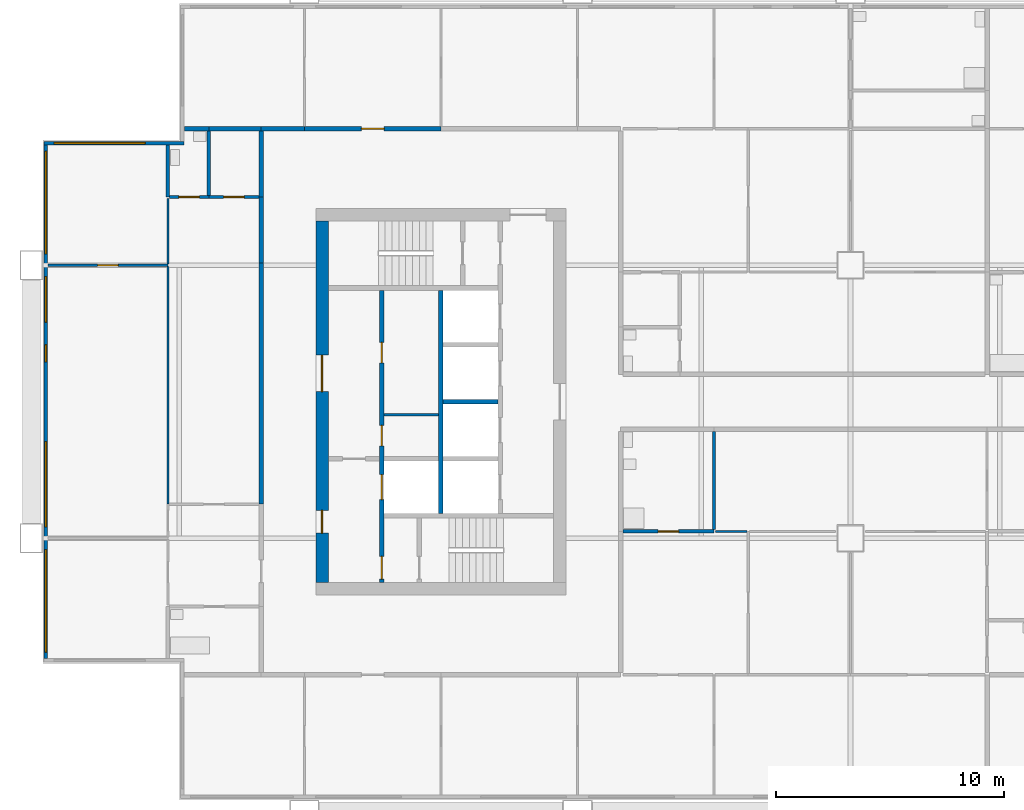
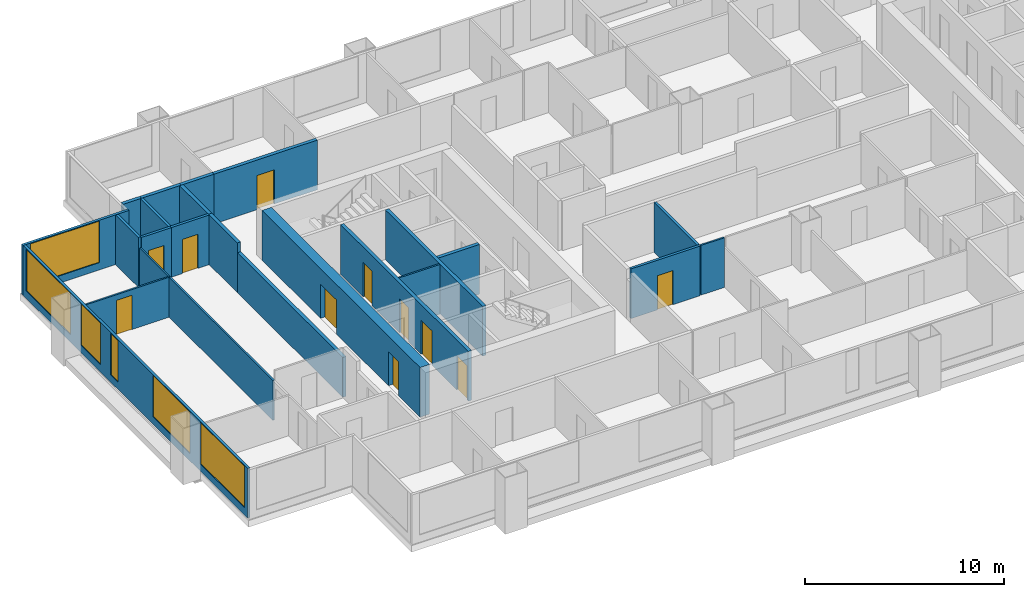
# One storey, part 3 of 9: 24 walls, 11 doors, 6 windows, 17 openings.
"""IFC4 building model written with IfcOpenShell, lengths in metres."""

from ifc_helpers import new_model, si_unit, direction, frame, frame_2d, origin, place, context, subcontext, project, spatial, rectangle, extrude, material, layer, layer_set, type_object, element, fill, save


model = new_model("IFC4")

# Units and contexts
model_context = context("Model", 3, precision=1e-05, world=origin(), true_north=direction((0.0, 1.0)))
body_context = subcontext(model_context, "Body", "Model", "MODEL_VIEW")
ifc_project = project(units=[si_unit("LENGTHUNIT", "METRE"), si_unit("AREAUNIT", "SQUARE_METRE"), si_unit("VOLUMEUNIT", "CUBIC_METRE"), si_unit("PLANEANGLEUNIT", "RADIAN"), si_unit("MASSUNIT", "GRAM", prefix="KILO")], contexts=[model_context])

# Site, building, storey
site_placement = place(None, origin())
site = spatial("IfcSite", under=ifc_project, at=site_placement, CompositionType="ELEMENT")
building_placement = place(site_placement, origin())
building = spatial("IfcBuilding", under=site, at=building_placement, Name="Kitamizu Gate Tower and Museum", CompositionType="ELEMENT")
storey_placement = place(building_placement, frame((0.0, 0.0, 182.39990234375)))
storey = spatial("IfcBuildingStorey", under=building, at=storey_placement, Name="L48", CompositionType="ELEMENT", Elevation=182.39990234375)

# Wall, openings, doors
ifc_material_1 = material(Name="Concrete Fc42", Category="concrete")
ifc_layer_1 = layer(ifc_material_1, 0.550048828125)
ifc_layer_set_1 = layer_set([ifc_layer_1], Name="Concrete Fc42")
wall_type_1 = type_object("IfcWallType", Name="Core wall 550", PredefinedType="SHEAR", material=ifc_layer_set_1)
wall_1_placement = place(storey_placement, frame((12.77490234375, 22.050048828125, 0.0), z_axis=(0.0, 0.0, 1.0), x_axis=(0.0, 1.0, 0.0)))
wall_1 = element("IfcWall", 1, at=wall_1_placement, inside=storey, type_object=wall_type_1, Name="Core wall WOUT", PredefinedType="SHEAR", context=body_context, shape_type="SweptSolid", body=[
    extrude(rectangle(XDim=15.89990234375, YDim=0.550048828125, at=frame_2d((7.949951171875, 0.0))), origin(), (0.0, 0.0, 1.0), 3.050048828125),
])
opening_1_placement = place(wall_1_placement, frame((8.39990234375, 0.0, 0.0)))
opening_1 = element("IfcOpeningElement", 2, at=opening_1_placement, cuts=wall_1, Name="Opening L48-046", PredefinedType="OPENING", context=body_context, shape_type="SweptSolid", body=[
    extrude(rectangle(XDim=1.60009765625, YDim=2.10009765625, at=frame_2d((0.800048828125, 1.050048828125))), frame((0.0, 0.28515625, 0.0), z_axis=(0.0, -1.0, 0.0), x_axis=(1.0, 0.0, 0.0)), (0.0, 0.0, 1.0), 0.570068359375),
])
opening_2_placement = place(wall_1_placement, frame((2.175048828125, 0.0, 0.0)))
opening_2 = element("IfcOpeningElement", 3, at=opening_2_placement, cuts=wall_1, Name="Opening L48-047", PredefinedType="OPENING", context=body_context, shape_type="SweptSolid", body=[
    extrude(rectangle(XDim=1.0, YDim=2.10009765625, at=frame_2d((0.5, 1.050048828125))), frame((0.0, 0.28515625, 0.0), z_axis=(0.0, -1.0, 0.0), x_axis=(1.0, 0.0, 0.0)), (0.0, 0.0, 1.0), 0.570068359375),
])
ifc_material_2 = material(Name="Timber door set", Category="wood")
door_type_1 = type_object("IfcDoorType", Name="Entrance door 1600", OperationType="DOUBLE_DOOR_SINGLE_SWING", PredefinedType="DOOR", material=ifc_material_2)
door_1_placement = place(opening_1_placement, origin())
door_1 = element("IfcDoor", 4, at=door_1_placement, inside=storey, type_object=door_type_1, Name="Lobby door L48-046", OperationType="DOUBLE_DOOR_SINGLE_SWING", OverallHeight=2.10009765625, OverallWidth=1.60009765625, PredefinedType="DOOR", context=body_context, shape_type="SweptSolid", body=[
    extrude(rectangle(XDim=1.60009765625, YDim=2.10009765625, at=frame_2d((0.800048828125, 1.050048828125))), frame((0.0, 0.02490234375, 0.0), z_axis=(0.0, -1.0, 0.0), x_axis=(1.0, 0.0, 0.0)), (0.0, 0.0, 1.0), 0.050048828125),
])
fill(opening_1, door_1)
ifc_material_3 = material(Name="Hollow metal door set")
door_type_2 = type_object("IfcDoorType", Name="Fire door 1000", OperationType="NOTDEFINED", PredefinedType="DOOR", material=ifc_material_3)
door_2_placement = place(opening_2_placement, frame((1.0, 0.0, 0.0), x_axis=(-1.0, 0.0, 0.0)))
door_2 = element("IfcDoor", 5, at=door_2_placement, inside=storey, type_object=door_type_2, Name="Fire-fighting lobby door L48-047", OperationType="SINGLE_SWING_LEFT", OverallHeight=2.10009765625, OverallWidth=1.0, PredefinedType="DOOR", context=body_context, shape_type="SweptSolid", body=[
    extrude(rectangle(XDim=1.0, YDim=2.10009765625, at=frame_2d((0.5, 1.050048828125))), frame((0.0, 0.02490234375, 0.0), z_axis=(0.0, -1.0, 0.0), x_axis=(1.0, 0.0, 0.0)), (0.0, 0.0, 1.0), 0.050048828125),
])
fill(opening_2, door_2)

# Walls
ifc_material_4 = material(Name="Gypsum board on galvanised stud")
ifc_layer_2 = layer(ifc_material_4, 0.10009765625)
ifc_layer_set_2 = layer_set([ifc_layer_2], Name="Gypsum board on galvanised stud")
wall_type_2 = type_object("IfcWallType", Name="Partition 100", PredefinedType="PARTITIONING", material=ifc_layer_set_2)
wall_2_placement = place(storey_placement, frame((15.5, 29.425048828125, 0.0), z_axis=(0.0, 0.0, 1.0), x_axis=(1.0, 0.0, 0.0)))
element("IfcWall", 6, at=wall_2_placement, inside=storey, type_object=wall_type_2, Name="Partition WPF1", PredefinedType="PARTITIONING", context=body_context, shape_type="SweptSolid", body=[
    extrude(rectangle(XDim=2.39990234375, YDim=0.10009765625, at=frame_2d((1.199951171875, 0.0))), origin(), (0.0, 0.0, 1.0), 3.050048828125),
])
ifc_material_5 = material(Name="Gypsum board on galvanised stud")
ifc_layer_3 = layer(ifc_material_5, 0.10009765625)
ifc_layer_set_3 = layer_set([ifc_layer_3], Name="Gypsum board on galvanised stud")
wall_type_3 = type_object("IfcWallType", Name="Partition 100 NOT RATED", PredefinedType="PARTITIONING", material=ifc_layer_set_3)
wall_3_placement = place(storey_placement, frame((31.449951171875, 24.300048828125, 0.0), z_axis=(0.0, 0.0, 1.0), x_axis=(-1.0, 0.0, 0.0)))
element("IfcWall", 7, at=wall_3_placement, inside=storey, type_object=wall_type_3, Name="Partition L48-017", PredefinedType="PARTITIONING", context=body_context, shape_type="SweptSolid", body=[
    extrude(rectangle(XDim=1.375, YDim=0.10009765625, at=frame_2d((0.6875, 0.0))), origin(), (0.0, 0.0, 1.0), 3.050048828125),
])

# Wall, opening, door
wall_4_placement = place(storey_placement, frame((6.0, 36.0, 0.0), z_axis=(0.0, 0.0, 1.0), x_axis=(-1.0, 0.0, 0.0)))
wall_4 = element("IfcWall", 8, at=wall_4_placement, inside=storey, type_object=wall_type_3, Name="Partition L48-082", PredefinedType="PARTITIONING", context=body_context, shape_type="SweptSolid", body=[
    extrude(rectangle(XDim=5.280029296875, YDim=0.10009765625, at=frame_2d((2.64013671875, 0.0))), origin(), (0.0, 0.0, 1.0), 2.4501953125),
])
opening_3_placement = place(wall_4_placement, frame((2.18994140625, 0.0, 0.0)))
opening_3 = element("IfcOpeningElement", 9, at=opening_3_placement, cuts=wall_4, Name="Opening L48-032", PredefinedType="OPENING", context=body_context, shape_type="SweptSolid", body=[
    extrude(rectangle(XDim=0.89990234375, YDim=2.10009765625, at=frame_2d((0.449951171875, 1.050048828125))), frame((0.0, 0.06005859375, 0.0), z_axis=(0.0, -1.0, 0.0), x_axis=(1.0, 0.0, 0.0)), (0.0, 0.0, 1.0), 0.1201171875),
])
ifc_material_6 = material(Name="Timber door set", Category="wood")
door_type_3 = type_object("IfcDoorType", Name="Room door 900", OperationType="NOTDEFINED", PredefinedType="DOOR", material=ifc_material_6)
door_3_placement = place(opening_3_placement, frame((0.89990234375, 0.0, 0.0), x_axis=(-1.0, 0.0, 0.0)))
door_3 = element("IfcDoor", 10, at=door_3_placement, inside=storey, type_object=door_type_3, Name="Door L48-032", OperationType="SINGLE_SWING_LEFT", OverallHeight=2.10009765625, OverallWidth=0.89990234375, PredefinedType="DOOR", context=body_context, shape_type="SweptSolid", body=[
    extrude(rectangle(XDim=0.89990234375, YDim=2.10009765625, at=frame_2d((0.449951171875, 1.050048828125))), frame((0.0, 0.02490234375, 0.0), z_axis=(0.0, -1.0, 0.0), x_axis=(1.0, 0.0, 0.0)), (0.0, 0.0, 1.0), 0.050048828125),
])
fill(opening_3, door_3)

# Walls
wall_5_placement = place(storey_placement, frame((6.0, 25.5, 0.0), z_axis=(0.0, 0.0, 1.0), x_axis=(0.0, 1.0, 0.0)))
element("IfcWall", 11, at=wall_5_placement, inside=storey, type_object=wall_type_3, Name="Partition L48-084", PredefinedType="PARTITIONING", context=body_context, shape_type="SweptSolid", body=[
    extrude(rectangle(XDim=10.449951171875, YDim=0.10009765625, at=frame_2d((5.22509765625, 0.0))), origin(), (0.0, 0.0, 1.0), 2.4501953125),
])
wall_6_placement = place(storey_placement, frame((6.0, 36.050048828125, 0.0), z_axis=(0.0, 0.0, 1.0), x_axis=(0.0, 1.0, 0.0)))
element("IfcWall", 12, at=wall_6_placement, inside=storey, type_object=wall_type_3, Name="Partition L48-085", PredefinedType="PARTITIONING", context=body_context, shape_type="SweptSolid", body=[
    extrude(rectangle(XDim=2.875, YDim=0.10009765625, at=frame_2d((1.4375, 0.0))), origin(), (0.0, 0.0, 1.0), 2.4501953125),
])

# Wall, opening, door
ifc_material_7 = material(Name="Gypsum board on galvanised stud")
ifc_layer_4 = layer(ifc_material_7, 0.14990234375)
ifc_layer_set_4 = layer_set([ifc_layer_4], Name="Gypsum board on galvanised stud")
wall_type_4 = type_object("IfcWallType", Name="Partition 150", PredefinedType="PARTITIONING", material=ifc_layer_set_4)
wall_7_placement = place(storey_placement, frame((30.0, 24.300048828125, 0.0), z_axis=(0.0, 0.0, 1.0), x_axis=(-1.0, 0.0, 0.0)))
wall_7 = element("IfcWall", 13, at=wall_7_placement, inside=storey, type_object=wall_type_4, Name="Partition L48-016", PredefinedType="PARTITIONING", context=body_context, shape_type="SweptSolid", body=[
    extrude(rectangle(XDim=4.0, YDim=0.14990234375, at=frame_2d((2.0, 0.0))), origin(), (0.0, 0.0, 1.0), 3.050048828125),
])
opening_4_placement = place(wall_7_placement, frame((1.550048828125, 0.0, 0.0)))
opening_4 = element("IfcOpeningElement", 14, at=opening_4_placement, cuts=wall_7, Name="Opening L48-009", PredefinedType="OPENING", context=body_context, shape_type="SweptSolid", body=[
    extrude(rectangle(XDim=0.89990234375, YDim=2.10009765625, at=frame_2d((0.449951171875, 1.050048828125))), frame((0.0, 0.0849609375, 0.0), z_axis=(0.0, -1.0, 0.0), x_axis=(1.0, 0.0, 0.0)), (0.0, 0.0, 1.0), 0.169921875),
])
ifc_material_8 = material(Name="Timber door set", Category="wood")
door_type_4 = type_object("IfcDoorType", Name="Bathroom door 900", OperationType="NOTDEFINED", PredefinedType="DOOR", material=ifc_material_8)
door_4_placement = place(opening_4_placement, frame((0.89990234375, 0.0, 0.0), x_axis=(-1.0, 0.0, 0.0)))
door_4 = element("IfcDoor", 15, at=door_4_placement, inside=storey, type_object=door_type_4, Name="Bathroom door L48-009", OperationType="SINGLE_SWING_LEFT", OverallHeight=2.10009765625, OverallWidth=0.89990234375, PredefinedType="DOOR", context=body_context, shape_type="SweptSolid", body=[
    extrude(rectangle(XDim=0.89990234375, YDim=2.10009765625, at=frame_2d((0.449951171875, 1.050048828125))), frame((0.0, 0.02490234375, 0.0), z_axis=(0.0, -1.0, 0.0), x_axis=(1.0, 0.0, 0.0)), (0.0, 0.0, 1.0), 0.050048828125),
])
fill(opening_4, door_4)

# Walls
wall_8_placement = place(storey_placement, frame((30.0, 24.375, 0.0), z_axis=(0.0, 0.0, 1.0), x_axis=(0.0, 1.0, 0.0)))
element("IfcWall", 16, at=wall_8_placement, inside=storey, type_object=wall_type_4, Name="Partition L48-025", PredefinedType="PARTITIONING", context=body_context, shape_type="SweptSolid", body=[
    extrude(rectangle(XDim=4.324951171875, YDim=0.14990234375, at=frame_2d((2.16259765625, 0.0))), origin(), (0.0, 0.0, 1.0), 3.050048828125),
])
wall_9_placement = place(storey_placement, frame((6.0, 39.0, 0.0), z_axis=(0.0, 0.0, 1.0), x_axis=(0.0, 1.0, 0.0)))
element("IfcWall", 17, at=wall_9_placement, inside=storey, type_object=wall_type_4, Name="Partition L48-086", PredefinedType="PARTITIONING", context=body_context, shape_type="SweptSolid", body=[
    extrude(rectangle(XDim=2.280029296875, YDim=0.14990234375, at=frame_2d((1.14013671875, 0.0))), origin(), (0.0, 0.0, 1.0), 3.050048828125),
])

# Wall, opening, door
wall_10_placement = place(storey_placement, frame((7.800048828125, 39.0, 0.0), z_axis=(0.0, 0.0, 1.0), x_axis=(-1.0, 0.0, 0.0)))
wall_10 = element("IfcWall", 18, at=wall_10_placement, inside=storey, type_object=wall_type_4, Name="Partition L48-092", PredefinedType="PARTITIONING", context=body_context, shape_type="SweptSolid", body=[
    extrude(rectangle(XDim=1.72509765625, YDim=0.14990234375, at=frame_2d((0.862548828125, 0.0))), origin(), (0.0, 0.0, 1.0), 3.050048828125),
])
opening_5_placement = place(wall_10_placement, frame((0.41259765625, 0.0, 0.0)))
opening_5 = element("IfcOpeningElement", 19, at=opening_5_placement, cuts=wall_10, Name="Opening L48-034", PredefinedType="OPENING", context=body_context, shape_type="SweptSolid", body=[
    extrude(rectangle(XDim=0.89990234375, YDim=2.10009765625, at=frame_2d((0.449951171875, 1.050048828125))), frame((0.0, 0.0849609375, 0.0), z_axis=(0.0, -1.0, 0.0), x_axis=(1.0, 0.0, 0.0)), (0.0, 0.0, 1.0), 0.169921875),
])
door_5_placement = place(opening_5_placement, frame((0.89990234375, 0.0, 0.0), x_axis=(-1.0, 0.0, 0.0)))
door_5 = element("IfcDoor", 20, at=door_5_placement, inside=storey, type_object=door_type_4, Name="Bathroom door L48-034", OperationType="SINGLE_SWING_LEFT", OverallHeight=2.10009765625, OverallWidth=0.89990234375, PredefinedType="DOOR", context=body_context, shape_type="SweptSolid", body=[
    extrude(rectangle(XDim=0.89990234375, YDim=2.10009765625, at=frame_2d((0.449951171875, 1.050048828125))), frame((0.0, 0.02490234375, 0.0), z_axis=(0.0, -1.0, 0.0), x_axis=(1.0, 0.0, 0.0)), (0.0, 0.0, 1.0), 0.050048828125),
])
fill(opening_5, door_5)

wall_11_placement = place(storey_placement, frame((10.0, 39.0, 0.0), z_axis=(0.0, 0.0, 1.0), x_axis=(-1.0, 0.0, 0.0)))
wall_11 = element("IfcWall", 21, at=wall_11_placement, inside=storey, type_object=wall_type_4, Name="Partition L48-093", PredefinedType="PARTITIONING", context=body_context, shape_type="SweptSolid", body=[
    extrude(rectangle(XDim=2.199951171875, YDim=0.14990234375, at=frame_2d((1.10009765625, 0.0))), origin(), (0.0, 0.0, 1.0), 3.050048828125),
])
opening_6_placement = place(wall_11_placement, frame((0.64990234375, 0.0, 0.0)))
opening_6 = element("IfcOpeningElement", 22, at=opening_6_placement, cuts=wall_11, Name="Opening L48-035", PredefinedType="OPENING", context=body_context, shape_type="SweptSolid", body=[
    extrude(rectangle(XDim=0.89990234375, YDim=2.10009765625, at=frame_2d((0.449951171875, 1.050048828125))), frame((0.0, 0.0849609375, 0.0), z_axis=(0.0, -1.0, 0.0), x_axis=(1.0, 0.0, 0.0)), (0.0, 0.0, 1.0), 0.169921875),
])
door_6_placement = place(opening_6_placement, frame((0.89990234375, 0.0, 0.0), x_axis=(-1.0, 0.0, 0.0)))
door_6 = element("IfcDoor", 23, at=door_6_placement, inside=storey, type_object=door_type_4, Name="Bathroom door L48-035", OperationType="SINGLE_SWING_RIGHT", OverallHeight=2.10009765625, OverallWidth=0.89990234375, PredefinedType="DOOR", context=body_context, shape_type="SweptSolid", body=[
    extrude(rectangle(XDim=0.89990234375, YDim=2.10009765625, at=frame_2d((0.449951171875, 1.050048828125))), frame((0.0, 0.02490234375, 0.0), z_axis=(0.0, -1.0, 0.0), x_axis=(1.0, 0.0, 0.0)), (0.0, 0.0, 1.0), 0.050048828125),
])
fill(opening_6, door_6)

# Walls
wall_12_placement = place(storey_placement, frame((7.800048828125, 39.074951171875, 0.0), z_axis=(0.0, 0.0, 1.0), x_axis=(0.0, 1.0, 0.0)))
element("IfcWall", 24, at=wall_12_placement, inside=storey, type_object=wall_type_4, Name="Partition L48-096", PredefinedType="PARTITIONING", context=body_context, shape_type="SweptSolid", body=[
    extrude(rectangle(XDim=2.824951171875, YDim=0.14990234375, at=frame_2d((1.41259765625, 0.0))), origin(), (0.0, 0.0, 1.0), 3.050048828125),
])
ifc_material_9 = material(Name="Gypsum board on galvanised stud")
ifc_layer_5 = layer(ifc_material_9, 0.199951171875)
ifc_layer_set_5 = layer_set([ifc_layer_5], Name="Gypsum board on galvanised stud")
wall_type_5 = type_object("IfcWallType", Name="Partition 200", PredefinedType="PARTITIONING", material=ifc_layer_set_5)
wall_13_placement = place(storey_placement, frame((6.719970703125, 42.0, 0.0), z_axis=(0.0, 0.0, 1.0), x_axis=(1.0, 0.0, 0.0)))
element("IfcWall", 25, at=wall_13_placement, inside=storey, type_object=wall_type_5, Name="Partition L48-042", PredefinedType="PARTITIONING", context=body_context, shape_type="SweptSolid", body=[
    extrude(rectangle(XDim=1.080078125, YDim=0.199951171875, at=frame_2d((0.5400390625, 0.0))), origin(), (0.0, 0.0, 1.0), 3.050048828125),
])
wall_14_placement = place(storey_placement, frame((7.800048828125, 42.0, 0.0), z_axis=(0.0, 0.0, 1.0), x_axis=(1.0, 0.0, 0.0)))
element("IfcWall", 26, at=wall_14_placement, inside=storey, type_object=wall_type_5, Name="Partition L48-043", PredefinedType="PARTITIONING", context=body_context, shape_type="SweptSolid", body=[
    extrude(rectangle(XDim=2.300048828125, YDim=0.199951171875, at=frame_2d((1.14990234375, 0.0))), origin(), (0.0, 0.0, 1.0), 3.050048828125),
])
wall_15_placement = place(storey_placement, frame((10.10009765625, 42.0, 0.0), z_axis=(0.0, 0.0, 1.0), x_axis=(1.0, 0.0, 0.0)))
element("IfcWall", 27, at=wall_15_placement, inside=storey, type_object=wall_type_5, Name="Partition L48-044", PredefinedType="PARTITIONING", context=body_context, shape_type="SweptSolid", body=[
    extrude(rectangle(XDim=1.89990234375, YDim=0.199951171875, at=frame_2d((0.949951171875, 0.0))), origin(), (0.0, 0.0, 1.0), 3.050048828125),
])

# Wall, opening, door
wall_16_placement = place(storey_placement, frame((12.0, 42.0, 0.0), z_axis=(0.0, 0.0, 1.0), x_axis=(1.0, 0.0, 0.0)))
wall_16 = element("IfcWall", 28, at=wall_16_placement, inside=storey, type_object=wall_type_5, Name="Partition L48-046", PredefinedType="PARTITIONING", context=body_context, shape_type="SweptSolid", body=[
    extrude(rectangle(XDim=6.0, YDim=0.199951171875, at=frame_2d((3.0, 0.0))), origin(), (0.0, 0.0, 1.0), 3.050048828125),
])
opening_7_placement = place(wall_16_placement, frame((2.5, 0.0, 0.0)))
opening_7 = element("IfcOpeningElement", 29, at=opening_7_placement, cuts=wall_16, Name="Opening L48-015", PredefinedType="OPENING", context=body_context, shape_type="SweptSolid", body=[
    extrude(rectangle(XDim=1.0, YDim=2.10009765625, at=frame_2d((0.5, 1.050048828125))), frame((0.0, 0.10986328125, 0.0), z_axis=(0.0, -1.0, 0.0), x_axis=(1.0, 0.0, 0.0)), (0.0, 0.0, 1.0), 0.219970703125),
])
ifc_material_10 = material(Name="Timber door set", Category="wood")
door_type_5 = type_object("IfcDoorType", Name="Flat entrance door 1000", OperationType="NOTDEFINED", PredefinedType="DOOR", material=ifc_material_10)
door_7_placement = place(opening_7_placement, origin())
door_7 = element("IfcDoor", 30, at=door_7_placement, inside=storey, type_object=door_type_5, Name="Flat entrance door L48-015", OperationType="SINGLE_SWING_RIGHT", OverallHeight=2.10009765625, OverallWidth=1.0, PredefinedType="DOOR", context=body_context, shape_type="SweptSolid", body=[
    extrude(rectangle(XDim=1.0, YDim=2.10009765625, at=frame_2d((0.5, 1.050048828125))), frame((0.0, 0.02490234375, 0.0), z_axis=(0.0, -1.0, 0.0), x_axis=(1.0, 0.0, 0.0)), (0.0, 0.0, 1.0), 0.050048828125),
])
fill(opening_7, door_7)

# Walls
wall_17_placement = place(storey_placement, frame((10.10009765625, 25.5, 0.0), z_axis=(0.0, 0.0, 1.0), x_axis=(0.0, 1.0, 0.0)))
element("IfcWall", 31, at=wall_17_placement, inside=storey, type_object=wall_type_5, Name="Partition L48-094", PredefinedType="PARTITIONING", context=body_context, shape_type="SweptSolid", body=[
    extrude(rectangle(XDim=10.60009765625, YDim=0.199951171875, at=frame_2d((5.300048828125, 0.0))), origin(), (0.0, 0.0, 1.0), 2.4501953125),
])
for number, where, z_axis, x_axis, name in (
    (32, (10.10009765625, 36.10009765625, 0.0), (0.0, 0.0, 1.0), (0.0, 1.0, 0.0), "Partition L48-095"),
    (33, (10.10009765625, 39.0, 0.0), (0.0, 0.0, 1.0), (0.0, 1.0, 0.0), "Partition L48-097"),
):
    element("IfcWall", number, at=place(storey_placement, frame(where, z_axis=z_axis, x_axis=x_axis)), inside=storey, type_object=wall_type_5, Name=name, PredefinedType="PARTITIONING", context=body_context, shape_type="SweptSolid", body=[
        extrude(rectangle(XDim=2.89990234375, YDim=0.199951171875, at=frame_2d((1.449951171875, 0.0))), origin(), (0.0, 0.0, 1.0), 3.050048828125),
    ])

# Wall, openings, doors
ifc_material_11 = material(Name="Concrete Fc42", Category="concrete")
ifc_layer_6 = layer(ifc_material_11, 0.199951171875)
ifc_layer_set_6 = layer_set([ifc_layer_6], Name="Concrete Fc42")
wall_type_6 = type_object("IfcWallType", Name="Shaft wall 200", PredefinedType="SOLIDWALL", material=ifc_layer_set_6)
wall_18_placement = place(storey_placement, frame((15.39990234375, 22.050048828125, 0.0), z_axis=(0.0, 0.0, 1.0), x_axis=(0.0, 1.0, 0.0)))
wall_18 = element("IfcWall", 34, at=wall_18_placement, inside=storey, type_object=wall_type_6, Name="Shaft wall WWEST", PredefinedType="SOLIDWALL", context=body_context, shape_type="SweptSolid", body=[
    extrude(rectangle(XDim=12.849853515625, YDim=0.199951171875, at=frame_2d((6.4248046875, 0.0))), origin(), (0.0, 0.0, 1.0), 3.050048828125),
])
opening_8_placement = place(wall_18_placement, frame((3.64990234375, 0.0, 0.0)))
opening_8 = element("IfcOpeningElement", 35, at=opening_8_placement, cuts=wall_18, Name="Opening LD", PredefinedType="OPENING", context=body_context, shape_type="SweptSolid", body=[
    extrude(rectangle(XDim=1.10009765625, YDim=2.10009765625, at=frame_2d((0.550048828125, 1.050048828125))), frame((0.0, 0.10986328125, 0.0), z_axis=(0.0, -1.0, 0.0), x_axis=(1.0, 0.0, 0.0)), (0.0, 0.0, 1.0), 0.219970703125),
])
opening_9_placement = place(wall_18_placement, frame((0.14990234375, 0.0, 0.0)))
opening_9 = element("IfcOpeningElement", 36, at=opening_9_placement, cuts=wall_18, Name="Opening L48-042", PredefinedType="OPENING", context=body_context, shape_type="SweptSolid", body=[
    extrude(rectangle(XDim=1.0, YDim=2.10009765625, at=frame_2d((0.5, 1.050048828125))), frame((0.0, 0.10986328125, 0.0), z_axis=(0.0, -1.0, 0.0), x_axis=(1.0, 0.0, 0.0)), (0.0, 0.0, 1.0), 0.219970703125),
])
opening_10_placement = place(wall_18_placement, frame((6.012451171875, 0.0, 0.0)))
opening_10 = element("IfcOpeningElement", 37, at=opening_10_placement, cuts=wall_18, Name="Opening L48-050", PredefinedType="OPENING", context=body_context, shape_type="SweptSolid", body=[
    extrude(rectangle(XDim=0.89990234375, YDim=2.10009765625, at=frame_2d((0.449951171875, 1.050048828125))), frame((0.0, 0.10986328125, 0.0), z_axis=(0.0, -1.0, 0.0), x_axis=(1.0, 0.0, 0.0)), (0.0, 0.0, 1.0), 0.219970703125),
])
opening_11_placement = place(wall_18_placement, frame((9.66259765625, 0.0, 0.0)))
opening_11 = element("IfcOpeningElement", 38, at=opening_11_placement, cuts=wall_18, Name="Opening L48-051", PredefinedType="OPENING", context=body_context, shape_type="SweptSolid", body=[
    extrude(rectangle(XDim=0.89990234375, YDim=2.10009765625, at=frame_2d((0.449951171875, 1.050048828125))), frame((0.0, 0.10986328125, 0.0), z_axis=(0.0, -1.0, 0.0), x_axis=(1.0, 0.0, 0.0)), (0.0, 0.0, 1.0), 0.219970703125),
])
door_8_placement = place(opening_9_placement, frame((1.0, 0.0, 0.0), x_axis=(-1.0, 0.0, 0.0)))
door_8 = element("IfcDoor", 39, at=door_8_placement, inside=storey, type_object=door_type_2, Name="Stair lobby door L48-042", OperationType="SINGLE_SWING_LEFT", OverallHeight=2.10009765625, OverallWidth=1.0, PredefinedType="DOOR", context=body_context, shape_type="SweptSolid", body=[
    extrude(rectangle(XDim=1.0, YDim=2.10009765625, at=frame_2d((0.5, 1.050048828125))), frame((0.0, 0.02490234375, 0.0), z_axis=(0.0, -1.0, 0.0), x_axis=(1.0, 0.0, 0.0)), (0.0, 0.0, 1.0), 0.050048828125),
])
fill(opening_9, door_8)
ifc_material_12 = material(Name="Hollow metal door set")
door_type_6 = type_object("IfcDoorType", Name="Landing door 1100", OperationType="SLIDING_TO_LEFT", PredefinedType="DOOR", material=ifc_material_12)
door_9_placement = place(opening_8_placement, origin())
door_9 = element("IfcDoor", 40, at=door_9_placement, inside=storey, type_object=door_type_6, Name="Landing door WFF1", OperationType="SLIDING_TO_LEFT", OverallHeight=2.10009765625, OverallWidth=1.10009765625, PredefinedType="DOOR", context=body_context, shape_type="SweptSolid", body=[
    extrude(rectangle(XDim=1.10009765625, YDim=2.10009765625, at=frame_2d((0.550048828125, 1.050048828125))), frame((0.0, 0.02490234375, 0.0), z_axis=(0.0, -1.0, 0.0), x_axis=(1.0, 0.0, 0.0)), (0.0, 0.0, 1.0), 0.050048828125),
])
fill(opening_8, door_9)
ifc_material_13 = material(Name="Timber door set", Category="wood")
door_type_7 = type_object("IfcDoorType", Name="Service door 900", OperationType="NOTDEFINED", PredefinedType="DOOR", material=ifc_material_13)
door_10_placement = place(opening_10_placement, frame((0.89990234375, 0.0, 0.0), x_axis=(-1.0, 0.0, 0.0)))
door_10 = element("IfcDoor", 41, at=door_10_placement, inside=storey, type_object=door_type_7, Name="Service door L48-050", OperationType="SINGLE_SWING_RIGHT", OverallHeight=2.10009765625, OverallWidth=0.89990234375, PredefinedType="DOOR", context=body_context, shape_type="SweptSolid", body=[
    extrude(rectangle(XDim=0.89990234375, YDim=2.10009765625, at=frame_2d((0.449951171875, 1.050048828125))), frame((0.0, 0.02490234375, 0.0), z_axis=(0.0, -1.0, 0.0), x_axis=(1.0, 0.0, 0.0)), (0.0, 0.0, 1.0), 0.050048828125),
])
fill(opening_10, door_10)
door_11_placement = place(opening_11_placement, frame((0.89990234375, 0.0, 0.0), x_axis=(-1.0, 0.0, 0.0)))
door_11 = element("IfcDoor", 42, at=door_11_placement, inside=storey, type_object=door_type_7, Name="Service door L48-051", OperationType="SINGLE_SWING_LEFT", OverallHeight=2.10009765625, OverallWidth=0.89990234375, PredefinedType="DOOR", context=body_context, shape_type="SweptSolid", body=[
    extrude(rectangle(XDim=0.89990234375, YDim=2.10009765625, at=frame_2d((0.449951171875, 1.050048828125))), frame((0.0, 0.02490234375, 0.0), z_axis=(0.0, -1.0, 0.0), x_axis=(1.0, 0.0, 0.0)), (0.0, 0.0, 1.0), 0.050048828125),
])
fill(opening_11, door_11)

# Walls
wall_19_placement = place(storey_placement, frame((18.0, 25.10009765625, 0.0), z_axis=(0.0, 0.0, 1.0), x_axis=(0.0, 1.0, 0.0)))
element("IfcWall", 43, at=wall_19_placement, inside=storey, type_object=wall_type_6, Name="Shaft wall WMID", PredefinedType="SOLIDWALL", context=body_context, shape_type="SweptSolid", body=[
    extrude(rectangle(XDim=9.7998046875, YDim=0.199951171875, at=frame_2d((4.89990234375, 0.0))), origin(), (0.0, 0.0, 1.0), 3.050048828125),
])
wall_20_placement = place(storey_placement, frame((18.10009765625, 30.0, 0.0), z_axis=(0.0, 0.0, 1.0), x_axis=(1.0, 0.0, 0.0)))
element("IfcWall", 44, at=wall_20_placement, inside=storey, type_object=wall_type_6, Name="Shaft wall WDVE1", PredefinedType="SOLIDWALL", context=body_context, shape_type="SweptSolid", body=[
    extrude(rectangle(XDim=2.39990234375, YDim=0.199951171875, at=frame_2d((1.199951171875, 0.0))), origin(), (0.0, 0.0, 1.0), 3.050048828125),
])

# Wall, opening, window
ifc_material_14 = material(Name="Bronze anodised aluminium frame with insulated spandrel and tinted glass", Category="aluminium")
ifc_layer_7 = layer(ifc_material_14, 0.14990234375)
ifc_layer_set_7 = layer_set([ifc_layer_7], Name="Bronze anodised aluminium frame with insulated spandrel and tinted glass")
wall_type_7 = type_object("IfcWallType", Name="WINDOW WALL 150 BRONZE FRAME EI 30", PredefinedType="ELEMENTEDWALL", material=ifc_layer_set_7)
wall_21_placement = place(storey_placement, frame((0.56005859375, 41.364990234375, 0.0), z_axis=(0.0, 0.0, 1.0), x_axis=(1.0, 0.0, 0.0)))
wall_21 = element("IfcWall", 45, at=wall_21_placement, inside=storey, type_object=wall_type_7, Name="Window wall north L48", PredefinedType="ELEMENTEDWALL", context=body_context, shape_type="SweptSolid", body=[
    extrude(rectangle(XDim=6.14990234375, YDim=0.14990234375, at=frame_2d((3.074951171875, 0.0))), origin(), (0.0, 0.0, 1.0), 3.050048828125),
])
opening_12_placement = place(wall_21_placement, frame((0.43994140625, 0.0, 0.449951171875)))
opening_12 = element("IfcOpeningElement", 46, at=opening_12_placement, cuts=wall_21, Name="Opening W16", PredefinedType="OPENING", context=body_context, shape_type="SweptSolid", body=[
    extrude(rectangle(XDim=4.0, YDim=2.550048828125, at=frame_2d((2.0, 1.27490234375))), frame((0.0, 0.0849609375, 0.0), z_axis=(0.0, -1.0, 0.0), x_axis=(1.0, 0.0, 0.0)), (0.0, 0.0, 1.0), 0.169921875),
])
ifc_material_15 = material(Name="Bronze anodised aluminium frame, tinted triple glazing", Category="aluminium")
window_type_1 = type_object("IfcWindowType", Name="WINDOW 4000 x 2550 SILL 450", PartitioningType="SINGLE_PANEL", PredefinedType="WINDOW", material=ifc_material_15)
window_1_placement = place(opening_12_placement, origin())
window_1 = element("IfcWindow", 47, at=window_1_placement, inside=storey, type_object=window_type_1, Name="Window W16 L48", OverallHeight=2.550048828125, OverallWidth=4.0, PartitioningType="SINGLE_PANEL", PredefinedType="WINDOW", context=body_context, shape_type="SweptSolid", body=[
    extrude(rectangle(XDim=4.0, YDim=2.550048828125, at=frame_2d((2.0, 1.27490234375))), frame((0.0, 0.030029296875, 0.0), z_axis=(0.0, -1.0, 0.0), x_axis=(1.0, 0.0, 0.0)), (0.0, 0.0, 1.0), 0.06005859375),
])
fill(opening_12, window_1)

# Wall, openings, windows
wall_22_placement = place(storey_placement, frame((0.635009765625, 18.7099609375, 0.0), z_axis=(0.0, 0.0, 1.0), x_axis=(0.0, 1.0, 0.0)))
wall_22 = element("IfcWall", 48, at=wall_22_placement, inside=storey, type_object=wall_type_7, Name="Window wall west L48", PredefinedType="ELEMENTEDWALL", context=body_context, shape_type="SweptSolid", body=[
    extrude(rectangle(XDim=22.580078125, YDim=0.14990234375, at=frame_2d((11.2900390625, 0.0))), origin(), (0.0, 0.0, 1.0), 3.050048828125),
])
opening_13_placement = place(wall_22_placement, frame((0.2900390625, 0.0, 0.449951171875)))
opening_13 = element("IfcOpeningElement", 49, at=opening_13_placement, cuts=wall_22, Name="Opening W15", PredefinedType="OPENING", context=body_context, shape_type="SweptSolid", body=[
    extrude(rectangle(XDim=4.5, YDim=2.550048828125, at=frame_2d((2.25, 1.27490234375))), frame((0.0, 0.0849609375, 0.0), z_axis=(0.0, -1.0, 0.0), x_axis=(1.0, 0.0, 0.0)), (0.0, 0.0, 1.0), 0.169921875),
])
opening_14_placement = place(wall_22_placement, frame((5.7900390625, 0.0, 0.449951171875)))
opening_14 = element("IfcOpeningElement", 50, at=opening_14_placement, cuts=wall_22, Name="Opening W36", PredefinedType="OPENING", context=body_context, shape_type="SweptSolid", body=[
    extrude(rectangle(XDim=3.75, YDim=2.550048828125, at=frame_2d((1.875, 1.27490234375))), frame((0.0, 0.0849609375, 0.0), z_axis=(0.0, -1.0, 0.0), x_axis=(1.0, 0.0, 0.0)), (0.0, 0.0, 1.0), 0.169921875),
])
opening_15_placement = place(wall_22_placement, frame((13.0400390625, 0.0, 0.449951171875)))
opening_15 = element("IfcOpeningElement", 51, at=opening_15_placement, cuts=wall_22, Name="Opening W25", PredefinedType="OPENING", context=body_context, shape_type="SweptSolid", body=[
    extrude(rectangle(XDim=0.75, YDim=2.550048828125, at=frame_2d((0.375, 1.27490234375))), frame((0.0, 0.0849609375, 0.0), z_axis=(0.0, -1.0, 0.0), x_axis=(1.0, 0.0, 0.0)), (0.0, 0.0, 1.0), 0.169921875),
])
opening_16_placement = place(wall_22_placement, frame((14.7900390625, 0.0, 0.449951171875)))
opening_16 = element("IfcOpeningElement", 52, at=opening_16_placement, cuts=wall_22, Name="Opening W2", PredefinedType="OPENING", context=body_context, shape_type="SweptSolid", body=[
    extrude(rectangle(XDim=2.0, YDim=2.550048828125, at=frame_2d((1.0, 1.27490234375))), frame((0.0, 0.0849609375, 0.0), z_axis=(0.0, -1.0, 0.0), x_axis=(1.0, 0.0, 0.0)), (0.0, 0.0, 1.0), 0.169921875),
])
opening_17_placement = place(wall_22_placement, frame((17.7900390625, 0.0, 0.449951171875)))
opening_17 = element("IfcOpeningElement", 53, at=opening_17_placement, cuts=wall_22, Name="Opening W15", PredefinedType="OPENING", context=body_context, shape_type="SweptSolid", body=[
    extrude(rectangle(XDim=4.5, YDim=2.550048828125, at=frame_2d((2.25, 1.27490234375))), frame((0.0, 0.0849609375, 0.0), z_axis=(0.0, -1.0, 0.0), x_axis=(1.0, 0.0, 0.0)), (0.0, 0.0, 1.0), 0.169921875),
])
ifc_material_16 = material(Name="Bronze anodised aluminium frame, tinted triple glazing", Category="aluminium")
window_type_2 = type_object("IfcWindowType", Name="WINDOW 2000 x 2550 SILL 450", PartitioningType="SINGLE_PANEL", PredefinedType="WINDOW", material=ifc_material_16)
window_2_placement = place(opening_16_placement, origin())
window_2 = element("IfcWindow", 54, at=window_2_placement, inside=storey, type_object=window_type_2, Name="Window W2 L48", OverallHeight=2.550048828125, OverallWidth=2.0, PartitioningType="SINGLE_PANEL", PredefinedType="WINDOW", context=body_context, shape_type="SweptSolid", body=[
    extrude(rectangle(XDim=2.0, YDim=2.550048828125, at=frame_2d((1.0, 1.27490234375))), frame((0.0, 0.030029296875, 0.0), z_axis=(0.0, -1.0, 0.0), x_axis=(1.0, 0.0, 0.0)), (0.0, 0.0, 1.0), 0.06005859375),
])
fill(opening_16, window_2)
ifc_material_17 = material(Name="Bronze anodised aluminium frame, tinted triple glazing", Category="aluminium")
window_type_3 = type_object("IfcWindowType", Name="WINDOW 3750 x 2550 SILL 450", PartitioningType="SINGLE_PANEL", PredefinedType="WINDOW", material=ifc_material_17)
window_3_placement = place(opening_14_placement, origin())
window_3 = element("IfcWindow", 55, at=window_3_placement, inside=storey, type_object=window_type_3, Name="Window W36 L48", OverallHeight=2.550048828125, OverallWidth=3.75, PartitioningType="SINGLE_PANEL", PredefinedType="WINDOW", context=body_context, shape_type="SweptSolid", body=[
    extrude(rectangle(XDim=3.75, YDim=2.550048828125, at=frame_2d((1.875, 1.27490234375))), frame((0.0, 0.030029296875, 0.0), z_axis=(0.0, -1.0, 0.0), x_axis=(1.0, 0.0, 0.0)), (0.0, 0.0, 1.0), 0.06005859375),
])
fill(opening_14, window_3)
ifc_material_18 = material(Name="Bronze anodised aluminium frame, tinted triple glazing", Category="aluminium")
window_type_4 = type_object("IfcWindowType", Name="WINDOW 4500 x 2550 SILL 450", PartitioningType="SINGLE_PANEL", PredefinedType="WINDOW", material=ifc_material_18)
window_4_placement = place(opening_13_placement, origin())
window_4 = element("IfcWindow", 56, at=window_4_placement, inside=storey, type_object=window_type_4, Name="Window W15 L48", OverallHeight=2.550048828125, OverallWidth=4.5, PartitioningType="SINGLE_PANEL", PredefinedType="WINDOW", context=body_context, shape_type="SweptSolid", body=[
    extrude(rectangle(XDim=4.5, YDim=2.550048828125, at=frame_2d((2.25, 1.27490234375))), frame((0.0, 0.030029296875, 0.0), z_axis=(0.0, -1.0, 0.0), x_axis=(1.0, 0.0, 0.0)), (0.0, 0.0, 1.0), 0.06005859375),
])
fill(opening_13, window_4)
window_5_placement = place(opening_17_placement, origin())
window_5 = element("IfcWindow", 57, at=window_5_placement, inside=storey, type_object=window_type_4, Name="Window W15 L48", OverallHeight=2.550048828125, OverallWidth=4.5, PartitioningType="SINGLE_PANEL", PredefinedType="WINDOW", context=body_context, shape_type="SweptSolid", body=[
    extrude(rectangle(XDim=4.5, YDim=2.550048828125, at=frame_2d((2.25, 1.27490234375))), frame((0.0, 0.030029296875, 0.0), z_axis=(0.0, -1.0, 0.0), x_axis=(1.0, 0.0, 0.0)), (0.0, 0.0, 1.0), 0.06005859375),
])
fill(opening_17, window_5)
ifc_material_19 = material(Name="Bronze anodised aluminium frame, tinted triple glazing", Category="aluminium")
window_type_5 = type_object("IfcWindowType", Name="WINDOW 750 x 2550 SILL 450", PartitioningType="SINGLE_PANEL", PredefinedType="WINDOW", material=ifc_material_19)
window_6_placement = place(opening_15_placement, origin())
window_6 = element("IfcWindow", 58, at=window_6_placement, inside=storey, type_object=window_type_5, Name="Window W25 L48", OverallHeight=2.550048828125, OverallWidth=0.75, PartitioningType="SINGLE_PANEL", PredefinedType="WINDOW", context=body_context, shape_type="SweptSolid", body=[
    extrude(rectangle(XDim=0.75, YDim=2.550048828125, at=frame_2d((0.375, 1.27490234375))), frame((0.0, 0.030029296875, 0.0), z_axis=(0.0, -1.0, 0.0), x_axis=(1.0, 0.0, 0.0)), (0.0, 0.0, 1.0), 0.06005859375),
])
fill(opening_15, window_6)

save(model, "model.ifc")
